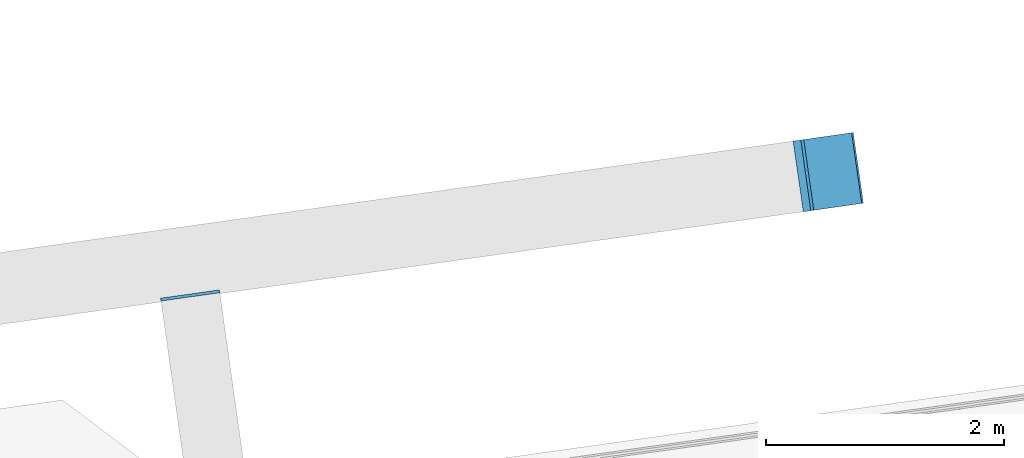
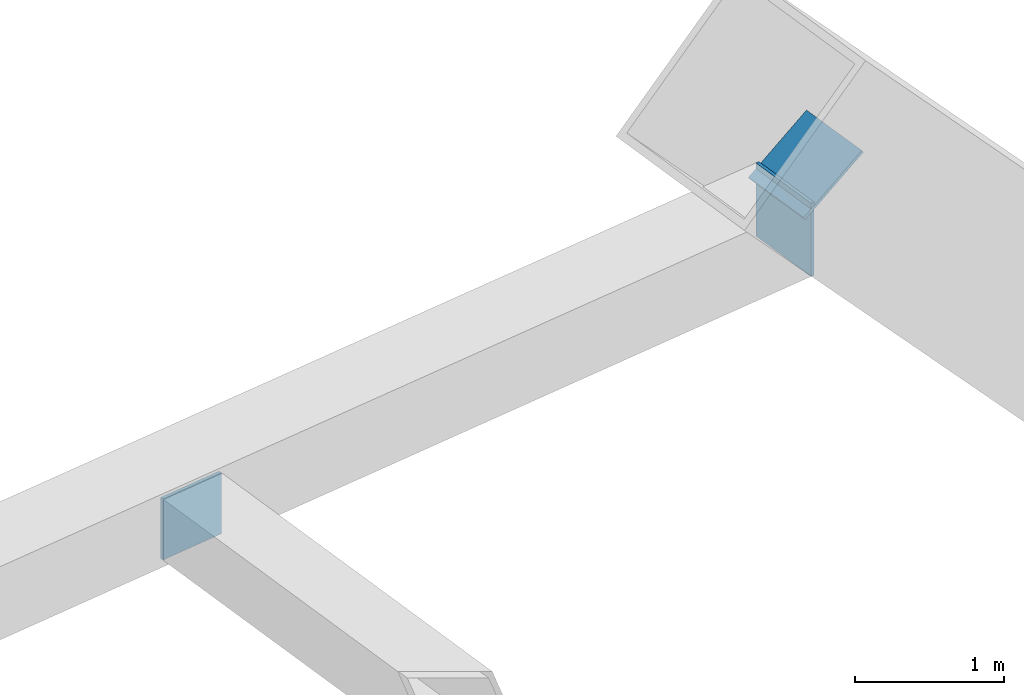
# One storey, part 27 of 29: 3 discrete accessories.
"""IFC4 building model written with IfcOpenShell, lengths in metres."""

from ifc_helpers import new_model, si_unit, direction, frame, origin, origin_2d, place, context, subcontext, project, spatial, rectangle, extrude, material, material_profile, profile_set, type_object, element, save


model = new_model("IFC4")

# Units and contexts
model_context = context("Model", 3, precision=1e-05, world=origin(), true_north=direction((0.0, 1.0)))
body_context = subcontext(model_context, "Body", "Model", "MODEL_VIEW")
ifc_project = project(units=[si_unit("LENGTHUNIT", "METRE"), si_unit("AREAUNIT", "SQUARE_METRE"), si_unit("VOLUMEUNIT", "CUBIC_METRE"), si_unit("PLANEANGLEUNIT", "RADIAN"), si_unit("MASSUNIT", "GRAM", prefix="KILO")], contexts=[model_context])

# Site, building, storey
site_placement = place(None, origin())
site = spatial("IfcSite", under=ifc_project, at=site_placement, CompositionType="ELEMENT")
building_placement = place(site_placement, origin())
building = spatial("IfcBuilding", under=site, at=building_placement, Name="Mirante Cascada Hotel Towers", CompositionType="ELEMENT")
storey_placement = place(building_placement, frame((0.0, 0.0, 210.6)))
storey = spatial("IfcBuildingStorey", under=building, at=storey_placement, Name="L50", CompositionType="ELEMENT", Elevation=210.6)

# Discrete accessories
ifc_material_1 = material(Name="Steel ASTM A572 Gr 50", Category="steel")
ifc_material_profile_1 = material_profile(ifc_material_1, rectangle(XDim=0.5, YDim=0.5, at=origin_2d()), Name="Connection plate 500x500x25 ASTM A572 Gr 50")
ifc_profile_set_1 = profile_set([ifc_material_profile_1], Name="Steel ASTM A572 Gr 50")
discrete_accessory_type_1 = type_object("IfcDiscreteAccessoryType", Name="Connection plate 500x500x25 ASTM A572 Gr 50", PredefinedType="BRACKET", material=ifc_profile_set_1)
discrete_accessory_placement = place(storey_placement, frame((68.8084, 24.3652, 4.85), z_axis=(-0.1402989, 0.9901092, 0.0), x_axis=(-0.9901092, -0.1402989, 0.0)))
element("IfcDiscreteAccessory", 1, at=discrete_accessory_placement, inside=storey, type_object=discrete_accessory_type_1, Name="Connection plate TIE", PredefinedType="BRACKET", context=body_context, shape_type="SweptSolid", body=[
    extrude(rectangle(XDim=0.5, YDim=0.5, at=origin_2d()), origin(), (0.0, 0.0, 1.0), 0.0249),
])
ifc_material_2 = material(Name="Steel ASTM A572 Gr 50", Category="steel")
ifc_material_profile_2 = material_profile(ifc_material_2, rectangle(XDim=0.6, YDim=0.6, at=origin_2d()), Name="Connection plate 600x600x25 ASTM A572 Gr 50")
ifc_profile_set_2 = profile_set([ifc_material_profile_2], Name="Steel ASTM A572 Gr 50")
discrete_accessory_type_2 = type_object("IfcDiscreteAccessoryType", Name="Connection plate 600x600x25 ASTM A572 Gr 50", PredefinedType="BRACKET", material=ifc_profile_set_2)
for number, where, z_axis, x_axis, name in (
    (2, (74.1758, 25.4149, 5.2077), (-0.5556889, -0.0799552, 0.8275367), (0.1424182, -0.9898066, 0.0), "Connection plate MB-FL50R"),
    (3, (73.98, 25.3874, 4.85), (0.9901876, 0.1397442, 0.0), (-0.1397442, 0.9901876, 0.0), "Connection plate NCH"),
):
    element("IfcDiscreteAccessory", number, at=place(storey_placement, frame(where, z_axis=z_axis, x_axis=x_axis)), inside=storey, type_object=discrete_accessory_type_2, Name=name, PredefinedType="BRACKET", context=body_context, shape_type="SweptSolid", body=[
        extrude(rectangle(XDim=0.6, YDim=0.6, at=origin_2d()), origin(), (0.0, 0.0, 1.0), 0.025),
    ])

save(model, "model.ifc")
